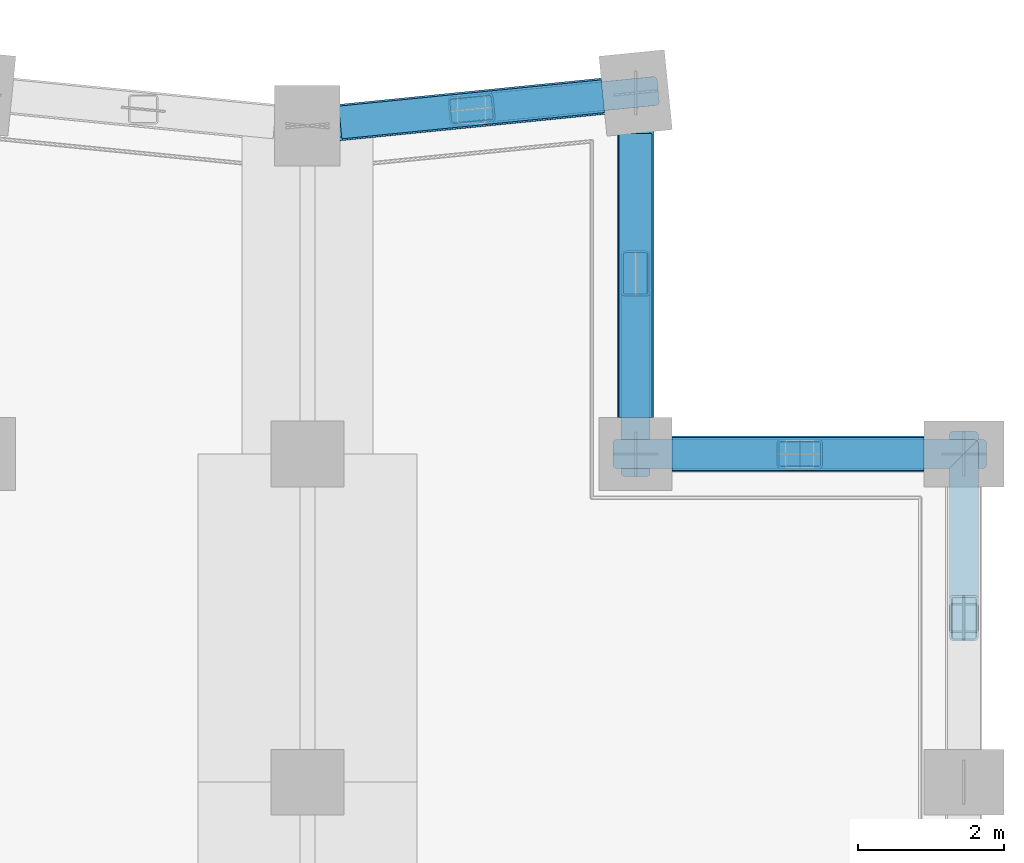
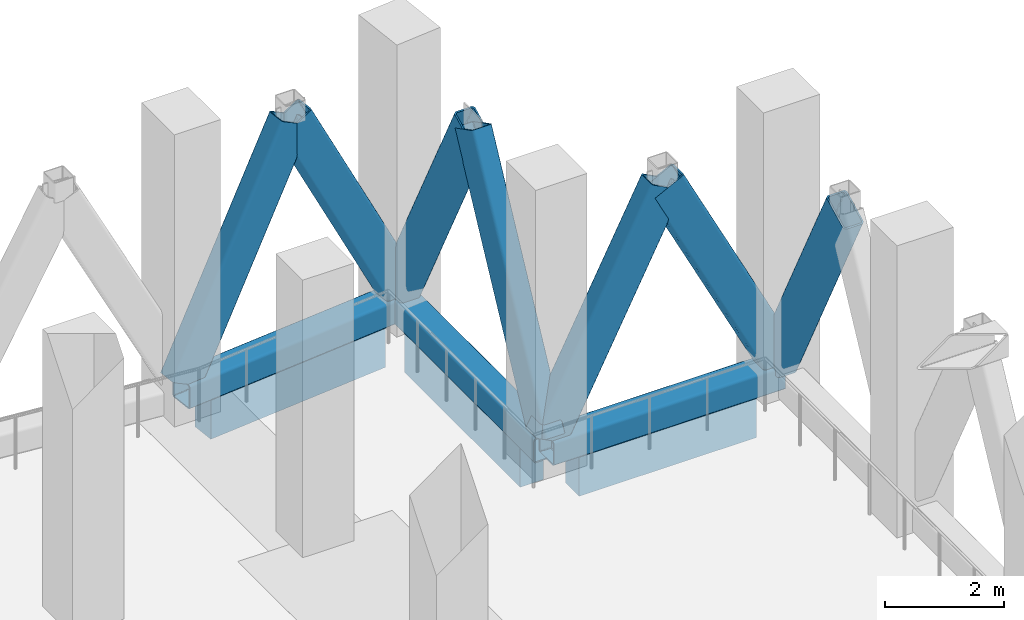
# One storey, part 9 of 28: 10 members, 3 beams.
"""IFC4 building model written with IfcOpenShell, lengths in metres."""

from ifc_helpers import new_model, si_unit, direction, frame, origin, origin_2d, place, context, subcontext, project, spatial, rectangle, hollow_rectangle, extrude, material, material_profile, profile_set, type_object, element, save


model = new_model("IFC4")

# Units and contexts
model_context = context("Model", 3, precision=1e-05, world=origin(), true_north=direction((0.0, 1.0)))
body_context = subcontext(model_context, "Body", "Model", "MODEL_VIEW")
ifc_project = project(units=[si_unit("LENGTHUNIT", "METRE"), si_unit("AREAUNIT", "SQUARE_METRE"), si_unit("VOLUMEUNIT", "CUBIC_METRE"), si_unit("PLANEANGLEUNIT", "RADIAN"), si_unit("MASSUNIT", "GRAM", prefix="KILO")], contexts=[model_context])

# Site, building, storey
site_placement = place(None, origin())
site = spatial("IfcSite", under=ifc_project, at=site_placement, CompositionType="ELEMENT")
building_placement = place(site_placement, origin())
building = spatial("IfcBuilding", under=site, at=building_placement, Name="Brondeck Convention Tower", CompositionType="ELEMENT")
storey_placement = place(building_placement, frame((0.0, 0.0, 192.800048828125)))
storey = spatial("IfcBuildingStorey", under=building, at=storey_placement, Name="L47", CompositionType="ELEMENT", Elevation=192.800048828125)

# Members
ifc_material_1 = material(Name="Steel S460", Category="steel")
ifc_material_profile_1 = material_profile(ifc_material_1, hollow_rectangle(XDim=0.39990234375, YDim=0.699951171875, WallThickness=0.030029296875, InnerFilletRadius=0.030029296875, OuterFilletRadius=0.06005859375, at=origin_2d()), Name="RHS 700x400x30")
ifc_profile_set_1 = profile_set([ifc_material_profile_1], Name="Steel S460")
member_type_1 = type_object("IfcMemberType", Name="Chevron brace RHS 700x400x30", PredefinedType="BRACE", material=ifc_profile_set_1)
for number, where, z_axis, x_axis, name in (
    (1, (63.0, 58.5, 0.5), (0.0, -0.453998837511, 0.891002275832), (1.0, 0.0, 0.0), "Belt truss BT-47-24 diagonal"),
    (2, (63.0, 58.5, 0.5), (-0.453998837511, 0.0, 0.891002275832), (0.0, -1.0, 0.0), "Belt truss BT-47-25 diagonal"),
    (3, (58.5, 58.5, 0.5), (0.453998837511, 0.0, 0.891002275832), (0.0, 1.0, 0.0), "Belt truss BT-47-25 diagonal"),
):
    element("IfcMember", number, at=place(storey_placement, frame(where, z_axis=z_axis, x_axis=x_axis)), inside=storey, type_object=member_type_1, Name=name, PredefinedType="BRACE", context=body_context, shape_type="SweptSolid", body=[
        extrude(hollow_rectangle(XDim=0.39990234375, YDim=0.699951171875, WallThickness=0.030029296875, InnerFilletRadius=0.030029296875, OuterFilletRadius=0.06005859375, at=origin_2d()), origin(), (0.0, 0.0, 1.0), 4.9560546875),
    ])
for number, where, z_axis, x_axis, name in (
    (4, (58.5, 58.5, 0.5), (0.0, 0.454569809749, 0.890711113698), (-1.0, 0.0, 0.0), "Belt truss BT-47-26 diagonal"),
    (5, (58.5, 63.449951171875, 0.5), (0.0, -0.454534235534, 0.890729267919), (1.0, 0.0, 0.0), "Belt truss BT-47-26 diagonal"),
):
    element("IfcMember", number, at=place(storey_placement, frame(where, z_axis=z_axis, x_axis=x_axis)), inside=storey, type_object=member_type_1, Name=name, PredefinedType="BRACE", context=body_context, shape_type="SweptSolid", body=[
        extrude(hollow_rectangle(XDim=0.39990234375, YDim=0.699951171875, WallThickness=0.030029296875, InnerFilletRadius=0.030029296875, OuterFilletRadius=0.06005859375, at=origin_2d()), origin(), (0.0, 0.0, 1.0), 5.44482421875),
    ])
for number, where, z_axis, x_axis, name in (
    (6, (58.5, 63.449951171875, 0.5), (-0.451750471668, -0.045145636329, 0.891001337186), (0.099439578731, -0.995043602151, 0.0), "Belt truss BT-47-27 diagonal"),
    (7, (54.0, 63.0, 0.5), (0.451749471427, 0.045194554325, 0.89099936438), (-0.099546478526, 0.995032913332, 0.0), "Belt truss BT-47-27 diagonal"),
):
    element("IfcMember", number, at=place(storey_placement, frame(where, z_axis=z_axis, x_axis=x_axis)), inside=storey, type_object=member_type_1, Name=name, PredefinedType="BRACE", context=body_context, shape_type="SweptSolid", body=[
        extrude(hollow_rectangle(XDim=0.39990234375, YDim=0.699951171875, WallThickness=0.030029296875, InnerFilletRadius=0.030029296875, OuterFilletRadius=0.06005859375, at=origin_2d()), origin(), (0.0, 0.0, 1.0), 4.980712890625),
    ])

# Beams
ifc_material_2 = material(Name="Concrete C70/85", Category="concrete")
ifc_material_profile_2 = material_profile(ifc_material_2, rectangle(XDim=0.449951171875, YDim=0.800048828125, at=origin_2d()), Name="Precast spandrel 450x800 Concrete C70/85")
ifc_profile_set_2 = profile_set([ifc_material_profile_2], Name="Concrete C70/85")
beam_type = type_object("IfcBeamType", Name="Precast spandrel 450x800 Concrete C70/85", PredefinedType="SPANDREL", material=ifc_profile_set_2)
beam_1_placement = place(storey_placement, frame((62.449951171875, 58.5, -0.400146484375), z_axis=(-1.0, 0.0, 0.0), x_axis=(0.0, -1.0, 0.0)))
element("IfcBeam", 8, at=beam_1_placement, inside=storey, type_object=beam_type, Name="STR-SP-L47-025", PredefinedType="SPANDREL", context=body_context, shape_type="SweptSolid", body=[
    extrude(rectangle(XDim=0.449951171875, YDim=0.800048828125, at=origin_2d()), origin(), (0.0, 0.0, 1.0), 3.449951171875),
])
beam_2_placement = place(storey_placement, frame((58.5, 59.0, -0.400146484375), z_axis=(0.0, 1.0, 0.0), x_axis=(-1.0, 0.0, 0.0)))
element("IfcBeam", 9, at=beam_2_placement, inside=storey, type_object=beam_type, Name="STR-SP-L47-026", PredefinedType="SPANDREL", context=body_context, shape_type="SweptSolid", body=[
    extrude(rectangle(XDim=0.449951171875, YDim=0.800048828125, at=origin_2d()), origin(), (0.0, 0.0, 1.0), 3.897216796875),
])
beam_3_placement = place(storey_placement, frame((58.05224609375, 63.4052734375, -0.400146484375), z_axis=(-0.995033851182, -0.099537103649, 0.0), x_axis=(0.099537103649, -0.995033851182, 0.0)))
element("IfcBeam", 10, at=beam_3_placement, inside=storey, type_object=beam_type, Name="STR-SP-L47-027", PredefinedType="SPANDREL", context=body_context, shape_type="SweptSolid", body=[
    extrude(rectangle(XDim=0.449951171875, YDim=0.800048828125, at=origin_2d()), origin(), (0.0, 0.0, 1.0), 3.620361328125),
])

# Members
ifc_material_profile_3 = material_profile(ifc_material_1, hollow_rectangle(XDim=0.5, YDim=0.5, WallThickness=0.02490234375, InnerFilletRadius=0.02490234375, OuterFilletRadius=0.050048828125, at=origin_2d()), Name="RHS 500x500x25")
ifc_profile_set_3 = profile_set([ifc_material_profile_3], Name="Steel S460")
member_type_2 = type_object("IfcMemberType", Name="Truss chord RHS 500x500x25", PredefinedType="CHORD", material=ifc_profile_set_3)
member_1_placement = place(storey_placement, frame((63.0, 58.5, 0.25), z_axis=(-1.0, 0.0, 0.0), x_axis=(0.0, -1.0, 0.0)))
element("IfcMember", 11, at=member_1_placement, inside=storey, type_object=member_type_2, Name="Belt truss BT-47-12 chord", PredefinedType="CHORD", context=body_context, shape_type="SweptSolid", body=[
    extrude(hollow_rectangle(XDim=0.5, YDim=0.5, WallThickness=0.02490234375, InnerFilletRadius=0.02490234375, OuterFilletRadius=0.050048828125, at=origin_2d()), origin(), (0.0, 0.0, 1.0), 4.5),
])
member_2_placement = place(storey_placement, frame((58.5, 58.5, 0.25), z_axis=(0.0, 1.0, 0.0), x_axis=(-1.0, 0.0, 0.0)))
element("IfcMember", 12, at=member_2_placement, inside=storey, type_object=member_type_2, Name="Belt truss BT-47-13 chord", PredefinedType="CHORD", context=body_context, shape_type="SweptSolid", body=[
    extrude(hollow_rectangle(XDim=0.5, YDim=0.5, WallThickness=0.02490234375, InnerFilletRadius=0.02490234375, OuterFilletRadius=0.050048828125, at=origin_2d()), origin(), (0.0, 0.0, 1.0), 4.949951171875),
])
member_3_placement = place(storey_placement, frame((58.5, 63.449951171875, 0.25), z_axis=(-0.995038259148, -0.099493029059, 0.0), x_axis=(0.099493029059, -0.995038259148, 0.0)))
element("IfcMember", 13, at=member_3_placement, inside=storey, type_object=member_type_2, Name="Belt truss BT-47-14 chord", PredefinedType="CHORD", context=body_context, shape_type="SweptSolid", body=[
    extrude(hollow_rectangle(XDim=0.5, YDim=0.5, WallThickness=0.02490234375, InnerFilletRadius=0.02490234375, OuterFilletRadius=0.050048828125, at=origin_2d()), origin(), (0.0, 0.0, 1.0), 4.5224609375),
])

save(model, "model.ifc")
